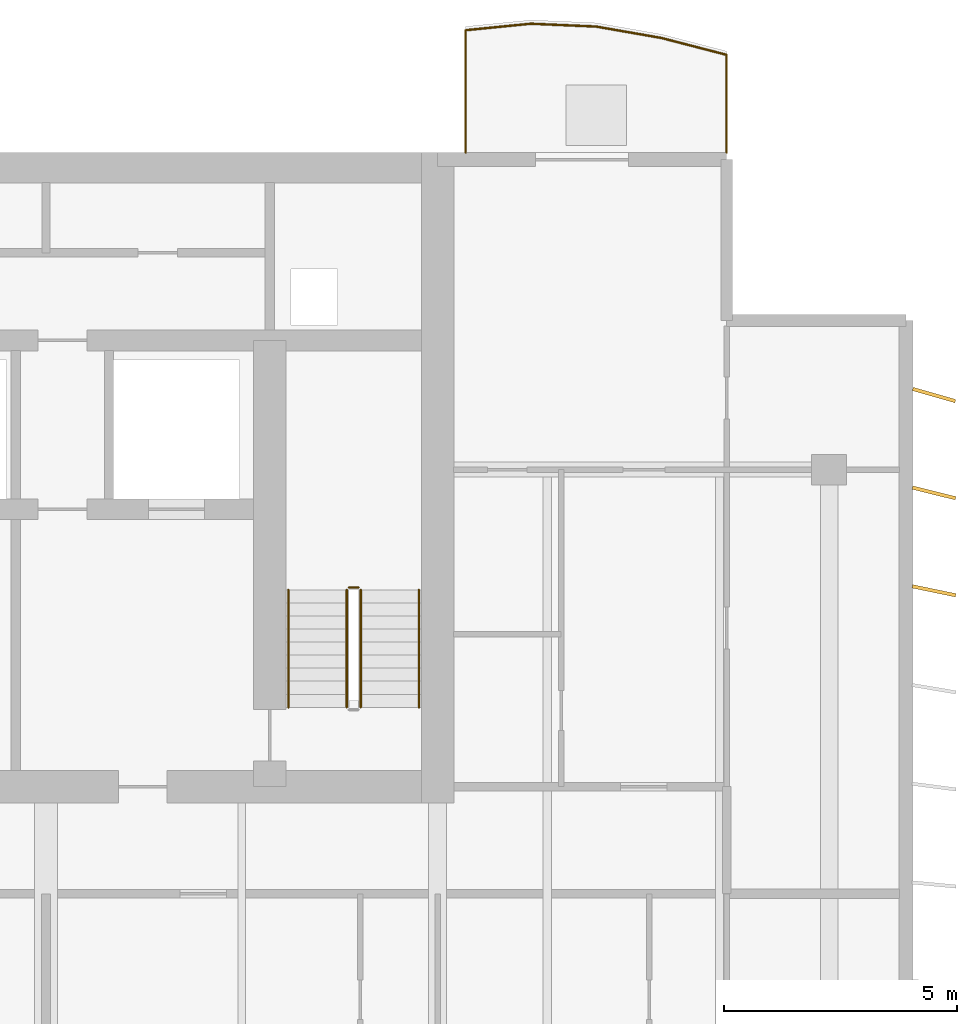
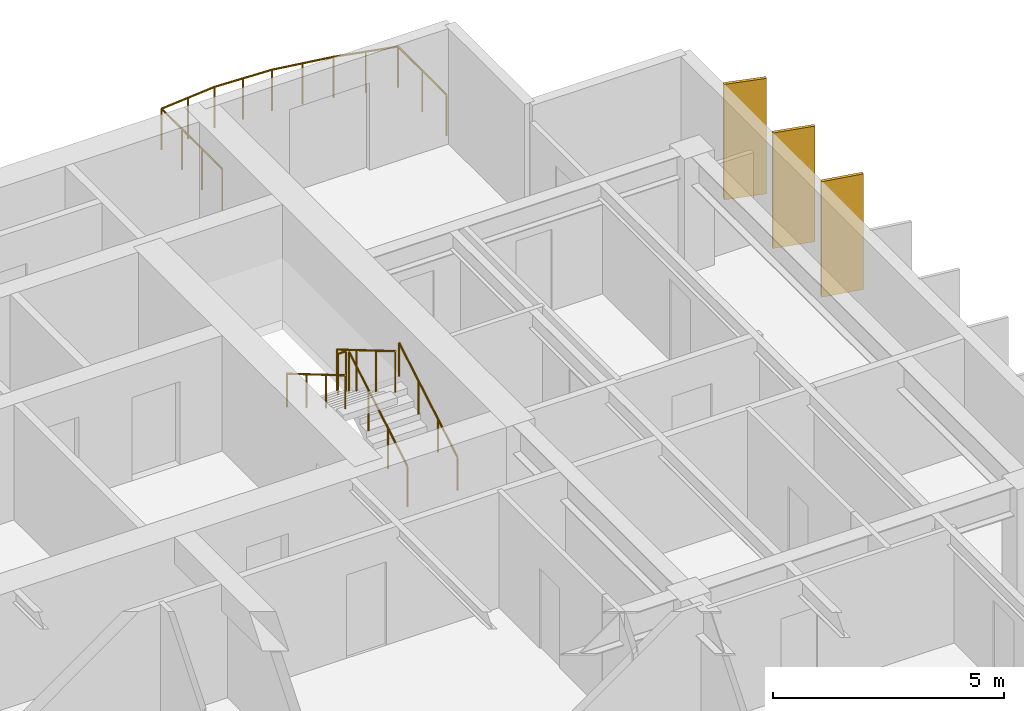
# One storey, part 16 of 16: 6 railings, 3 shading devices.
"""IFC4 building model written with IfcOpenShell, lengths in metres."""

from ifc_helpers import new_model, si_unit, direction, frame, origin, origin_2d, place, context, subcontext, project, spatial, rectangle, circle, extrude, material, material_profile, profile_set, type_object, element, save


model = new_model("IFC4")

# Units and contexts
model_context = context("Model", 3, precision=1e-05, world=origin(), true_north=direction((0.0, 1.0)))
body_context = subcontext(model_context, "Body", "Model", "MODEL_VIEW")
ifc_project = project(units=[si_unit("LENGTHUNIT", "METRE"), si_unit("AREAUNIT", "SQUARE_METRE"), si_unit("VOLUMEUNIT", "CUBIC_METRE"), si_unit("PLANEANGLEUNIT", "RADIAN"), si_unit("MASSUNIT", "GRAM", prefix="KILO")], contexts=[model_context])

# Site, building, storey
site_placement = place(None, origin())
site = spatial("IfcSite", under=ifc_project, at=site_placement, CompositionType="ELEMENT")
building_placement = place(site_placement, origin())
building = spatial("IfcBuilding", under=site, at=building_placement, Name="Caelmar Bay Residences", CompositionType="ELEMENT")
storey_placement = place(building_placement, frame((0.0, 0.0, 249.60009765625)))
storey = spatial("IfcBuildingStorey", under=building, at=storey_placement, Name="L70", CompositionType="ELEMENT", Elevation=249.60009765625)

# Railings
ifc_material_1 = material(Name="Anodised bronze handrail with laminated hurricane glass infill", Category="glass")
railing_type_1 = type_object("IfcRailingType", Name="RL-BAL-1100", PredefinedType="BALUSTRADE", material=ifc_material_1)
railing_1_placement = place(storey_placement, frame((65.699951171875, 50.60009765625, 0.0)))
element("IfcRailing", 1, at=railing_1_placement, inside=storey, type_object=railing_type_1, Name="L70 north_east Balcony Balustrade", PredefinedType="BALUSTRADE", context=body_context, shape_type="SweptSolid", body=[
    extrude(circle(Radius=0.02392578125, at=origin_2d()), frame((0.0, 0.0, 1.076171875), z_axis=(0.0, 1.0, 0.0), x_axis=(-1.0, 0.0, 0.0)), (0.0, 0.0, 1.0), 2.098388671875),
    extrude(circle(Radius=0.02392578125, at=origin_2d()), frame((0.0, 2.098388671875, 1.076171875), z_axis=(-0.968103147298, 0.250551983012, 0.0), x_axis=(-0.250551983012, -0.968103147298, 0.0)), (0.0, 0.0, 1.0), 1.446044921875),
    extrude(circle(Radius=0.02392578125, at=origin_2d()), frame((-1.39990234375, 2.460693359375, 1.076171875), z_axis=(-0.985106932591, 0.171942814215, 0.0), x_axis=(-0.171942814215, -0.985106932591, 0.0)), (0.0, 0.0, 1.0), 1.42138671875),
    extrude(circle(Radius=0.02392578125, at=origin_2d()), frame((-2.800048828125, 2.705078125, 1.076171875), z_axis=(-0.999058458158, 0.043384296491, 0.0), x_axis=(-0.043384296491, -0.999058458158, 0.0)), (0.0, 0.0, 1.0), 1.401123046875),
    extrude(circle(Radius=0.02392578125, at=origin_2d()), frame((-4.199951171875, 2.765869140625, 1.076171875), z_axis=(-0.99509543912, -0.098919497785, 0.0), x_axis=(0.098919497785, -0.99509543912, 0.0)), (0.0, 0.0, 1.0), 1.40673828125),
    extrude(circle(Radius=0.02392578125, at=origin_2d()), frame((-5.599853515625, 2.626708984375, 1.076171875), z_axis=(0.0, -1.0, 0.0), x_axis=(1.0, 0.0, 0.0)), (0.0, 0.0, 1.0), 2.626708984375),
    extrude(circle(Radius=0.02099609375, at=origin_2d()), origin(), (0.0, 0.0, 1.0), 1.052001953125),
    extrude(circle(Radius=0.02099609375, at=origin_2d()), frame((0.0, 1.04931640625, 0.0)), (0.0, 0.0, 1.0), 1.052001953125),
    extrude(circle(Radius=0.02099609375, at=origin_2d()), frame((0.0, 2.098388671875, 0.0)), (0.0, 0.0, 1.0), 1.052001953125),
    extrude(circle(Radius=0.02099609375, at=origin_2d()), frame((-0.699951171875, 2.279541015625, 0.0)), (0.0, 0.0, 1.0), 1.052001953125),
    extrude(circle(Radius=0.02099609375, at=origin_2d()), frame((-1.39990234375, 2.460693359375, 0.0)), (0.0, 0.0, 1.0), 1.052001953125),
    extrude(circle(Radius=0.02099609375, at=origin_2d()), frame((-2.10009765625, 2.5830078125, 0.0)), (0.0, 0.0, 1.0), 1.052001953125),
    extrude(circle(Radius=0.02099609375, at=origin_2d()), frame((-2.800048828125, 2.705078125, 0.0)), (0.0, 0.0, 1.0), 1.052001953125),
    extrude(circle(Radius=0.02099609375, at=origin_2d()), frame((-3.5, 2.7353515625, 0.0)), (0.0, 0.0, 1.0), 1.052001953125),
    extrude(circle(Radius=0.02099609375, at=origin_2d()), frame((-4.199951171875, 2.765869140625, 0.0)), (0.0, 0.0, 1.0), 1.052001953125),
    extrude(circle(Radius=0.02099609375, at=origin_2d()), frame((-4.89990234375, 2.6962890625, 0.0)), (0.0, 0.0, 1.0), 1.052001953125),
    extrude(circle(Radius=0.02099609375, at=origin_2d()), frame((-5.599853515625, 2.626708984375, 0.0)), (0.0, 0.0, 1.0), 1.052001953125),
    extrude(circle(Radius=0.02099609375, at=origin_2d()), frame((-5.599853515625, 1.751220703125, 0.0)), (0.0, 0.0, 1.0), 1.052001953125),
    extrude(circle(Radius=0.02099609375, at=origin_2d()), frame((-5.599853515625, 0.87548828125, 0.0)), (0.0, 0.0, 1.0), 1.052001953125),
    extrude(circle(Radius=0.02099609375, at=origin_2d()), frame((-5.599853515625, 0.0, 0.0)), (0.0, 0.0, 1.0), 1.052001953125),
])
ifc_material_2 = material(Name="Painted galvanized steel stair guard 1100 mm", Category="steel")
railing_type_2 = type_object("IfcRailingType", Name="RL-GRD-1100", PredefinedType="GUARDRAIL", material=ifc_material_2)
railing_2_placement = place(storey_placement, frame((57.85009765625, 38.699951171875, 0.164794921875)))
element("IfcRailing", 2, at=railing_2_placement, inside=storey, type_object=railing_type_2, Name="L70 ST2 stair guard 1", PredefinedType="GUARDRAIL", context=body_context, shape_type="SweptSolid", body=[
    extrude(circle(Radius=0.02392578125, at=origin_2d()), frame((0.0, 0.0, 1.076171875), z_axis=(0.0, 0.86152411907, 0.507716645641), x_axis=(-1.0, 0.0, 0.0)), (0.0, 0.0, 1.0), 2.925048828125),
    extrude(circle(Radius=0.02099609375, at=origin_2d()), origin(), (0.0, 0.0, 1.0), 1.052001953125),
    extrude(circle(Radius=0.02099609375, at=origin_2d()), frame((0.0, 0.840087890625, 0.4951171875)), (0.0, 0.0, 1.0), 1.052001953125),
    extrude(circle(Radius=0.02099609375, at=origin_2d()), frame((0.0, 1.679931640625, 0.989990234375)), (0.0, 0.0, 1.0), 1.052001953125),
    extrude(circle(Radius=0.02099609375, at=origin_2d()), frame((0.0, 2.52001953125, 1.485107421875)), (0.0, 0.0, 1.0), 1.052001953125),
])
railing_3_placement = place(storey_placement, frame((57.800048828125, 41.27001953125, 1.64990234375)))
element("IfcRailing", 3, at=railing_3_placement, inside=storey, type_object=railing_type_2, Name="L70 ST2 stair guard 2", PredefinedType="GUARDRAIL", context=body_context, shape_type="SweptSolid", body=[
    extrude(circle(Radius=0.02392578125, at=origin_2d()), frame((0.0, 0.0, 1.076171875), z_axis=(-1.0, 0.0, 0.0), x_axis=(0.0, -1.0, 0.0)), (0.0, 0.0, 1.0), 0.199951171875),
    extrude(circle(Radius=0.02099609375, at=origin_2d()), origin(), (0.0, 0.0, 1.0), 1.052001953125),
    extrude(circle(Radius=0.02099609375, at=origin_2d()), frame((-0.199951171875, 0.0, 0.0)), (0.0, 0.0, 1.0), 1.052001953125),
])
railing_4_placement = place(storey_placement, frame((57.550048828125, 41.219970703125, 1.81494140625)))
element("IfcRailing", 4, at=railing_4_placement, inside=storey, type_object=railing_type_2, Name="L70 ST2 stair guard 3", PredefinedType="GUARDRAIL", context=body_context, shape_type="SweptSolid", body=[
    extrude(circle(Radius=0.02392578125, at=origin_2d()), frame((0.0, 0.0, 1.076171875), z_axis=(0.0, -0.861560626758, 0.507654692109), x_axis=(1.0, 0.0, 0.0)), (0.0, 0.0, 1.0), 2.925048828125),
    extrude(circle(Radius=0.02099609375, at=origin_2d()), origin(), (0.0, 0.0, 1.0), 1.052001953125),
    extrude(circle(Radius=0.02099609375, at=origin_2d()), frame((0.0, -0.840087890625, 0.494873046875)), (0.0, 0.0, 1.0), 1.052001953125),
    extrude(circle(Radius=0.02099609375, at=origin_2d()), frame((0.0, -1.679931640625, 0.989990234375)), (0.0, 0.0, 1.0), 1.052001953125),
    extrude(circle(Radius=0.02099609375, at=origin_2d()), frame((0.0, -2.52001953125, 1.48486328125)), (0.0, 0.0, 1.0), 1.052001953125),
])
ifc_material_3 = material(Name="Brushed bronze stainless-steel tubular handrail 900 mm", Category="steel")
railing_type_3 = type_object("IfcRailingType", Name="RL-HND-900", PredefinedType="HANDRAIL", material=ifc_material_3)
railing_5_placement = place(storey_placement, frame((59.10009765625, 38.699951171875, 0.164794921875)))
element("IfcRailing", 5, at=railing_5_placement, inside=storey, type_object=railing_type_3, Name="L70 ST2 stair handrail 1", PredefinedType="HANDRAIL", context=body_context, shape_type="SweptSolid", body=[
    extrude(circle(Radius=0.02392578125, at=origin_2d()), frame((0.0, 0.0, 0.8759765625), z_axis=(0.0, 0.86152411907, 0.507716645641), x_axis=(-1.0, 0.0, 0.0)), (0.0, 0.0, 1.0), 2.925048828125),
    extrude(circle(Radius=0.02099609375, at=origin_2d()), origin(), (0.0, 0.0, 1.0), 0.851806640625),
    extrude(circle(Radius=0.02099609375, at=origin_2d()), frame((0.0, 0.840087890625, 0.4951171875)), (0.0, 0.0, 1.0), 0.851806640625),
    extrude(circle(Radius=0.02099609375, at=origin_2d()), frame((0.0, 1.679931640625, 0.989990234375)), (0.0, 0.0, 1.0), 0.851806640625),
    extrude(circle(Radius=0.02099609375, at=origin_2d()), frame((0.0, 2.52001953125, 1.485107421875)), (0.0, 0.0, 1.0), 0.851806640625),
])
railing_6_placement = place(storey_placement, frame((56.300048828125, 41.219970703125, 1.81494140625)))
element("IfcRailing", 6, at=railing_6_placement, inside=storey, type_object=railing_type_3, Name="L70 ST2 stair handrail 2", PredefinedType="HANDRAIL", context=body_context, shape_type="SweptSolid", body=[
    extrude(circle(Radius=0.02392578125, at=origin_2d()), frame((0.0, 0.0, 0.8759765625), z_axis=(0.0, -0.861560626758, 0.507654692109), x_axis=(1.0, 0.0, 0.0)), (0.0, 0.0, 1.0), 2.925048828125),
    extrude(circle(Radius=0.02099609375, at=origin_2d()), origin(), (0.0, 0.0, 1.0), 0.851806640625),
    extrude(circle(Radius=0.02099609375, at=origin_2d()), frame((0.0, -0.840087890625, 0.494873046875)), (0.0, 0.0, 1.0), 0.851806640625),
    extrude(circle(Radius=0.02099609375, at=origin_2d()), frame((0.0, -1.679931640625, 0.989990234375)), (0.0, 0.0, 1.0), 0.851806640625),
    extrude(circle(Radius=0.02099609375, at=origin_2d()), frame((0.0, -2.52001953125, 1.48486328125)), (0.0, 0.0, 1.0), 0.851806640625),
])

# Shading devices
ifc_material_4 = material(Name="Anodised architectural bronze aluminium 6063-T6", Category="aluminium")
ifc_material_profile = material_profile(ifc_material_4, rectangle(XDim=0.074951171875, YDim=0.949951171875, at=origin_2d()), Name="BRONZE-FIN-75X950")
ifc_profile_set = profile_set([ifc_material_profile], Name="Anodised architectural bronze aluminium 6063-T6")
shading_device_type = type_object("IfcShadingDeviceType", Name="SHD-FIN-950", PredefinedType="USERDEFINED", material=ifc_profile_set)
for number, where, z_axis, x_axis, name in (
    (7, (70.14990234375, 41.199951171875, 0.0), (0.0, 0.0, 1.0), (0.2032999874, 0.979116497217, 0.0), "L70 East Bronze Solar Fin 14"),
    (8, (70.14990234375, 43.300048828125, 0.0), (0.0, 0.0, 1.0), (0.239719743609, 0.970842131618, 0.0), "L70 East Bronze Solar Fin 15"),
    (9, (70.14990234375, 45.39990234375, 0.0), (0.0, 0.0, 1.0), (0.275637355817, 0.961261695938, 0.0), "L70 East Bronze Solar Fin 16"),
):
    element("IfcShadingDevice", number, at=place(storey_placement, frame(where, z_axis=z_axis, x_axis=x_axis)), inside=storey, type_object=shading_device_type, Name=name, ObjectType="FIN", PredefinedType="USERDEFINED", context=body_context, shape_type="SweptSolid", body=[
        extrude(rectangle(XDim=0.074951171875, YDim=0.949951171875, at=origin_2d()), origin(), (0.0, 0.0, 1.0), 3.0498046875),
    ])

save(model, "model.ifc")
